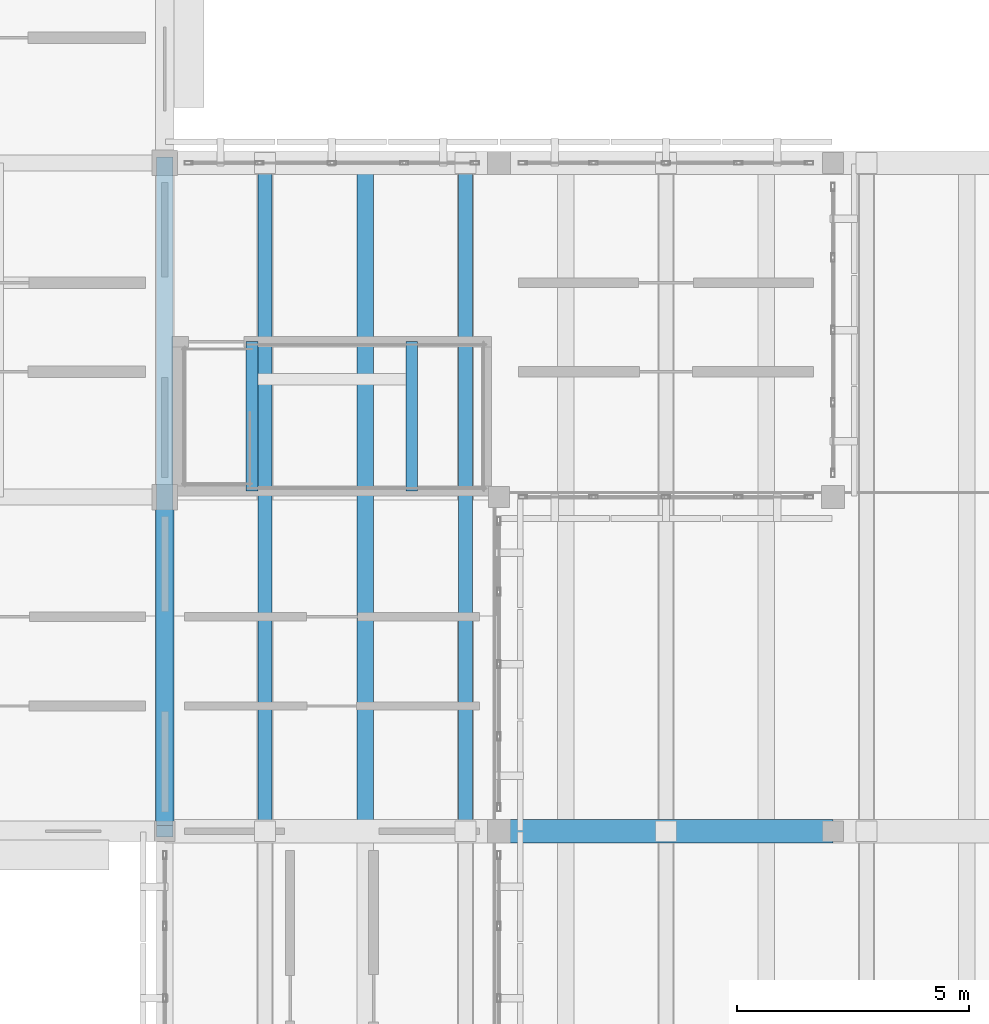
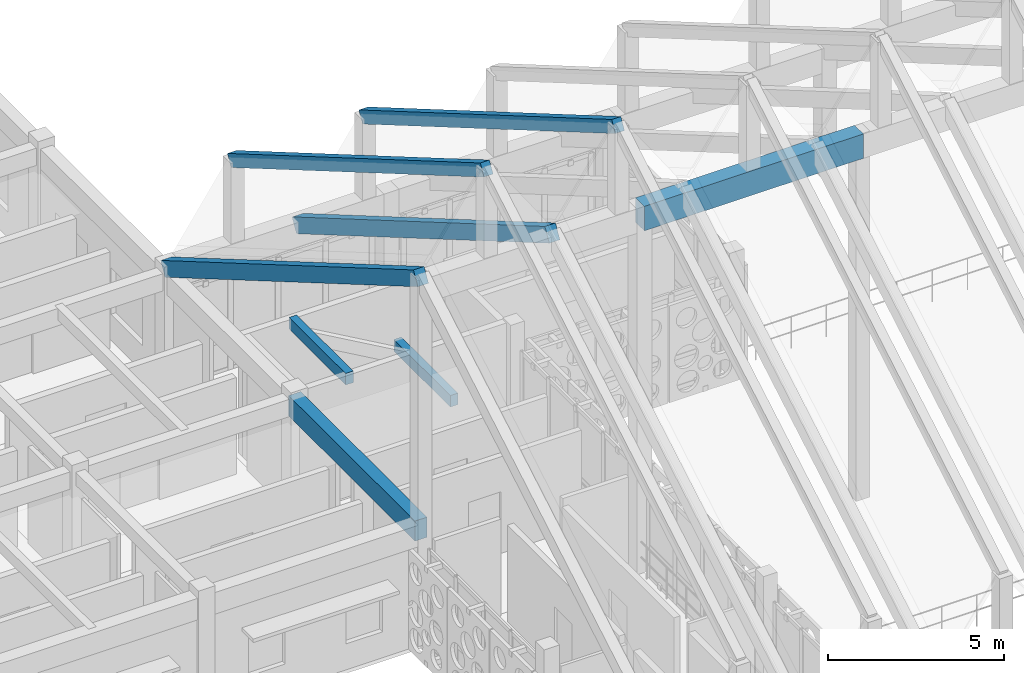
# One storey, part 24 of 171: 8 beams.
"""IFC4 building model written with IfcOpenShell, lengths in metres."""

from ifc_helpers import new_model, si_unit, direction, frame, origin, origin_2d, place, context, subcontext, project, spatial, rectangle, extrude, material, material_profile, profile_set, type_object, element, save


model = new_model("IFC4")

# Units and contexts
model_context = context("Model", 3, precision=1e-05, world=origin(), true_north=direction((0.0, 1.0)))
body_context = subcontext(model_context, "Body", "Model", "MODEL_VIEW")
ifc_project = project(units=[si_unit("LENGTHUNIT", "METRE"), si_unit("AREAUNIT", "SQUARE_METRE"), si_unit("VOLUMEUNIT", "CUBIC_METRE"), si_unit("PLANEANGLEUNIT", "RADIAN"), si_unit("MASSUNIT", "GRAM", prefix="KILO")], contexts=[model_context])

# Site, building, storey
site_placement = place(None, origin())
site = spatial("IfcSite", under=ifc_project, at=site_placement, CompositionType="ELEMENT")
building_placement = place(site_placement, origin())
building = spatial("IfcBuilding", under=site, at=building_placement, Name="Aldebral Square Health Centre", CompositionType="ELEMENT")
storey_placement = place(building_placement, frame((0.0, 0.0, 4.5)))
storey = spatial("IfcBuildingStorey", under=building, at=storey_placement, Name="L01", CompositionType="ELEMENT", Elevation=4.5)

# Beams
ifc_material = material(Name="Concrete C40/50", Category="concrete")
ifc_material_profile_1 = material_profile(ifc_material, rectangle(XDim=0.25, YDim=0.39990234375, at=origin_2d()), Name="RC 250x400")
ifc_profile_set_1 = profile_set([ifc_material_profile_1], Name="Concrete C40/50")
beam_type_1 = type_object("IfcBeamType", Name="BM-B6", PredefinedType="JOIST", material=ifc_profile_set_1)
for number, where, z_axis, x_axis, name in (
    (1, (70.1201171875, 93.72998046875, 2.050048828125), (0.0, 1.0, 0.0), (-1.0, 0.0, 0.0), "L01 WS-S7 half-landing beam"),
    (2, (66.679931640625, 93.72998046875, 4.02001953125), (0.0, 1.0, 0.0), (-1.0, 0.0, 0.0), "L01 WS-S7 upper landing beam"),
):
    element("IfcBeam", number, at=place(storey_placement, frame(where, z_axis=z_axis, x_axis=x_axis)), inside=storey, type_object=beam_type_1, Name=name, PredefinedType="JOIST", context=body_context, shape_type="SweptSolid", body=[
        extrude(rectangle(XDim=0.25, YDim=0.39990234375, at=origin_2d()), origin(), (0.0, 0.0, 1.0), 3.219970703125),
    ])
ifc_material_profile_2 = material_profile(ifc_material, rectangle(XDim=0.300048828125, YDim=0.419921875, at=origin_2d()), Name="RC 300x420")
ifc_profile_set_2 = profile_set([ifc_material_profile_2], Name="Concrete C40/50")
beam_type_2 = type_object("IfcBeamType", Name="BM-FP2", PredefinedType="BEAM", material=ifc_profile_set_2)
for number, where, z_axis, x_axis, name in (
    (3, (66.9599609375, 86.39990234375, 15.64990234375), (0.0, 0.863783681228, -0.503862830584), (-1.0, 0.0, 0.0), "Folded-plate north ridge rib 1"),
    (4, (71.280029296875, 86.39990234375, 15.64990234375), (0.0, 0.863783681228, -0.503862830584), (-1.0, 0.0, 0.0), "Folded-plate north ridge rib 2"),
):
    element("IfcBeam", number, at=place(storey_placement, frame(where, z_axis=z_axis, x_axis=x_axis)), inside=storey, type_object=beam_type_2, Name=name, PredefinedType="BEAM", context=body_context, shape_type="SweptSolid", body=[
        extrude(rectangle(XDim=0.300048828125, YDim=0.419921875, at=origin_2d()), origin(), (0.0, 0.0, 1.0), 16.6708984375),
    ])
ifc_material_profile_3 = material_profile(ifc_material, rectangle(XDim=0.5, YDim=0.85009765625, at=origin_2d()), Name="RC 500x850")
ifc_profile_set_3 = profile_set([ifc_material_profile_3], Name="Concrete C40/50")
beam_type_3 = type_object("IfcBeamType", Name="BM-G1", PredefinedType="T_BEAM", material=ifc_profile_set_3)
beam_1_placement = place(storey_placement, frame((72.0, 86.39990234375, 12.294921875), z_axis=(1.0, 0.0, 0.0), x_axis=(0.0, 1.0, 0.0)))
element("IfcBeam", 5, at=beam_1_placement, inside=storey, type_object=beam_type_3, Name="Waiting Hall diaphragm girder SPINE-M 11", PredefinedType="T_BEAM", context=body_context, shape_type="SweptSolid", body=[
    extrude(rectangle(XDim=0.5, YDim=0.85009765625, at=origin_2d()), origin(), (0.0, 0.0, 1.0), 7.199951171875),
])
ifc_material_profile_4 = material_profile(ifc_material, rectangle(XDim=0.39990234375, YDim=0.699951171875, at=origin_2d()), Name="RC 400x700")
ifc_profile_set_4 = profile_set([ifc_material_profile_4], Name="Concrete C40/50")
beam_type_4 = type_object("IfcBeamType", Name="BM-G3", PredefinedType="T_BEAM", material=ifc_profile_set_4)
beam_2_placement = place(storey_placement, frame((64.800048828125, 86.39990234375, 3.8701171875), z_axis=(0.0, 1.0, 0.0), x_axis=(-1.0, 0.0, 0.0)))
element("IfcBeam", 6, at=beam_2_placement, inside=storey, type_object=beam_type_4, Name="L01 Y-beam G10/13-14", PredefinedType="T_BEAM", context=body_context, shape_type="SweptSolid", body=[
    extrude(rectangle(XDim=0.39990234375, YDim=0.699951171875, at=origin_2d()), origin(), (0.0, 0.0, 1.0), 7.2001953125),
])
ifc_material_profile_5 = material_profile(ifc_material, rectangle(XDim=0.35009765625, YDim=0.5, at=origin_2d()), Name="RC 350x500")
ifc_profile_set_5 = profile_set([ifc_material_profile_5], Name="Concrete C40/50")
beam_type_5 = type_object("IfcBeamType", Name="BM-SP1", PredefinedType="SPANDREL", material=ifc_profile_set_5)
for number, where, z_axis, x_axis, name in (
    (7, (64.800048828125, 86.39990234375, 12.64990234375), (0.0, 0.863783681228, -0.503862830584), (-1.0, 0.0, 0.0), "Folded-plate north valley beam 1"),
    (8, (69.1201171875, 86.39990234375, 12.64990234375), (0.0, 0.863783681228, -0.503862830584), (-1.0, 0.0, 0.0), "Folded-plate north valley beam 2"),
):
    element("IfcBeam", number, at=place(storey_placement, frame(where, z_axis=z_axis, x_axis=x_axis)), inside=storey, type_object=beam_type_5, Name=name, PredefinedType="SPANDREL", context=body_context, shape_type="SweptSolid", body=[
        extrude(rectangle(XDim=0.35009765625, YDim=0.5, at=origin_2d()), origin(), (0.0, 0.0, 1.0), 16.6708984375),
    ])

save(model, "model.ifc")
